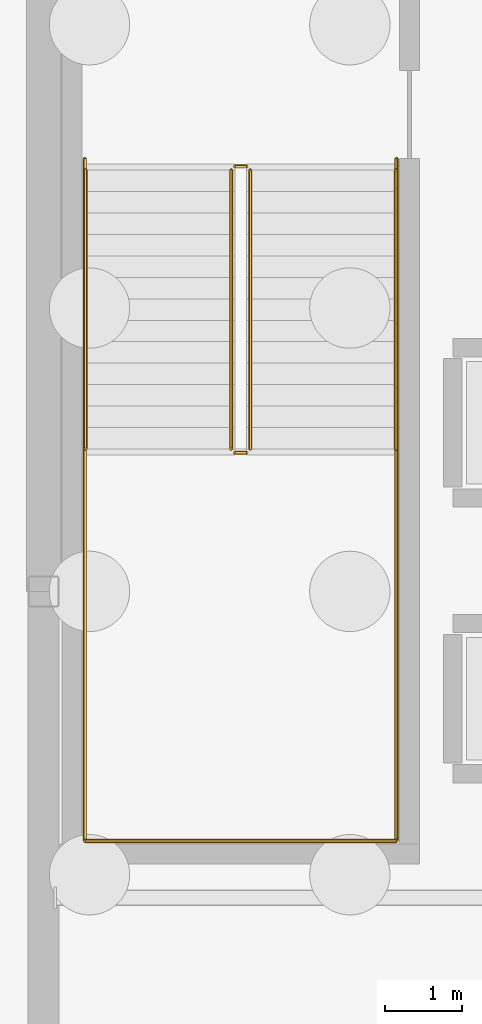
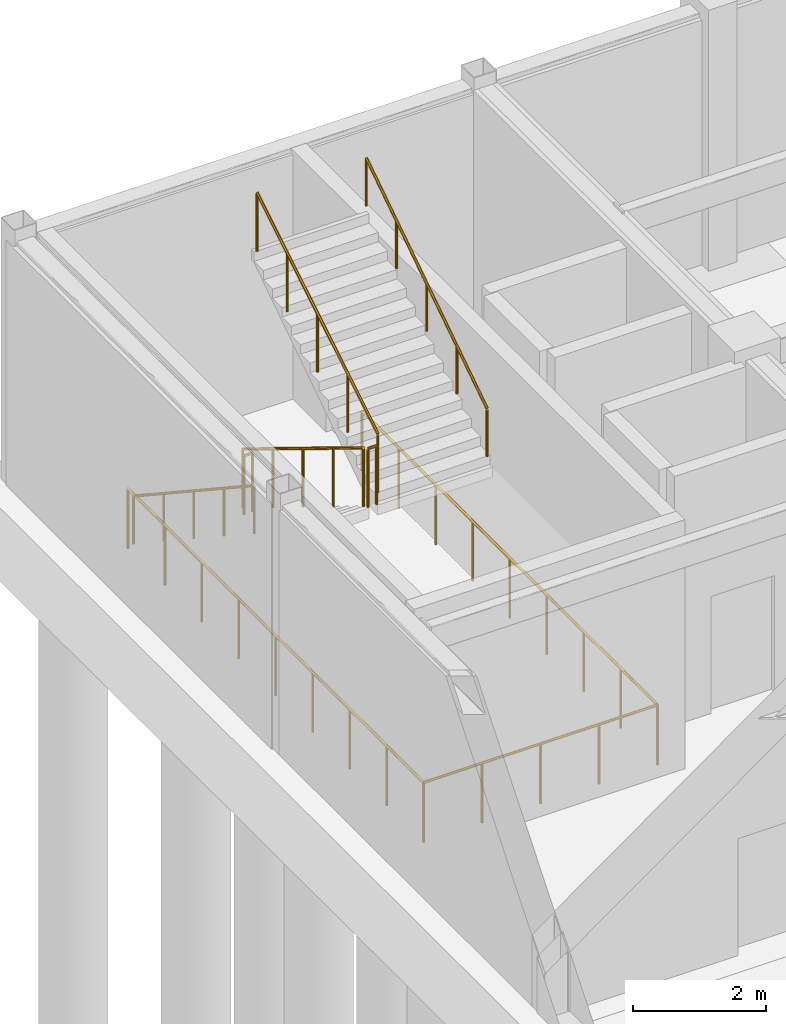
# One storey, part 100 of 105: 9 railings.
"""IFC4 building model written with IfcOpenShell, lengths in metres."""

from ifc_helpers import new_model, si_unit, direction, frame, origin, origin_2d, place, context, subcontext, project, spatial, circle, extrude, material, type_object, element, save


model = new_model("IFC4")

# Units and contexts
model_context = context("Model", 3, precision=1e-05, world=origin(), true_north=direction((0.0, 1.0)))
body_context = subcontext(model_context, "Body", "Model", "MODEL_VIEW")
ifc_project = project(units=[si_unit("LENGTHUNIT", "METRE"), si_unit("AREAUNIT", "SQUARE_METRE"), si_unit("VOLUMEUNIT", "CUBIC_METRE"), si_unit("PLANEANGLEUNIT", "RADIAN"), si_unit("MASSUNIT", "GRAM", prefix="KILO")], contexts=[model_context])

# Site, building, storey
site_placement = place(None, origin())
site = spatial("IfcSite", under=ifc_project, at=site_placement, CompositionType="ELEMENT")
building_placement = place(site_placement, origin())
building = spatial("IfcBuilding", under=site, at=building_placement, Name="Solmirada Galleria", CompositionType="ELEMENT")
storey_placement = place(building_placement, frame((0.0, 0.0, -4.800048828125)))
storey = spatial("IfcBuildingStorey", under=building, at=storey_placement, Name="B1", CompositionType="ELEMENT", Elevation=-4.800048828125)

# Railings
ifc_material = material(Name="Painted steel tubular railing", Category="steel")
railing_type_1 = type_object("IfcRailingType", Name="RAIL-STAIR-GUARD", PredefinedType="GUARDRAIL", material=ifc_material)
railing_1_placement = place(storey_placement, frame((42.449951171875, 117.5, 0.17138671875)))
element("IfcRailing", 1, at=railing_1_placement, inside=storey, type_object=railing_type_1, Name="B1 ST1 stair guard 1", PredefinedType="GUARDRAIL", context=body_context, shape_type="SweptSolid", body=[
    extrude(circle(Radius=0.02392578125, at=origin_2d()), frame((0.0, 0.0, 1.076171875), z_axis=(0.0, -0.852824790078, 0.522197163366), x_axis=(1.0, 0.0, 0.0)), (0.0, 0.0, 1.0), 4.26806640625),
    extrude(circle(Radius=0.02099609375, at=origin_2d()), origin(), (0.0, 0.0, 1.0), 1.048095703125),
    extrude(circle(Radius=0.02099609375, at=origin_2d()), frame((0.0, -0.909912109375, 0.55712890625)), (0.0, 0.0, 1.0), 1.048095703125),
    extrude(circle(Radius=0.02099609375, at=origin_2d()), frame((0.0, -1.81982421875, 1.1142578125)), (0.0, 0.0, 1.0), 1.048095703125),
    extrude(circle(Radius=0.02099609375, at=origin_2d()), frame((0.0, -2.72998046875, 1.671630859375)), (0.0, 0.0, 1.0), 1.048095703125),
    extrude(circle(Radius=0.02099609375, at=origin_2d()), frame((0.0, -3.639892578125, 2.228759765625)), (0.0, 0.0, 1.0), 1.048095703125),
])
railing_2_placement = place(storey_placement, frame((42.5, 113.81005859375, 2.400146484375)))
element("IfcRailing", 2, at=railing_2_placement, inside=storey, type_object=railing_type_1, Name="B1 ST1 stair guard 2", PredefinedType="GUARDRAIL", context=body_context, shape_type="SweptSolid", body=[
    extrude(circle(Radius=0.02392578125, at=origin_2d()), frame((0.0, 0.0, 1.076171875), z_axis=(1.0, 0.0, 0.0), x_axis=(0.0, 1.0, 0.0)), (0.0, 0.0, 1.0), 0.14990234375),
    extrude(circle(Radius=0.02099609375, at=origin_2d()), origin(), (0.0, 0.0, 1.0), 1.048095703125),
    extrude(circle(Radius=0.02099609375, at=origin_2d()), frame((0.14990234375, 0.0, 0.0)), (0.0, 0.0, 1.0), 1.048095703125),
])
railing_3_placement = place(storey_placement, frame((42.699951171875, 113.860107421875, 2.571533203125)))
element("IfcRailing", 3, at=railing_3_placement, inside=storey, type_object=railing_type_1, Name="B1 ST1 stair guard 3", PredefinedType="GUARDRAIL", context=body_context, shape_type="SweptSolid", body=[
    extrude(circle(Radius=0.02392578125, at=origin_2d()), frame((0.0, 0.0, 1.076171875), z_axis=(0.0, 0.852850264322, 0.5221555579), x_axis=(-1.0, 0.0, 0.0)), (0.0, 0.0, 1.0), 4.267822265625),
    extrude(circle(Radius=0.02099609375, at=origin_2d()), origin(), (0.0, 0.0, 1.0), 1.048095703125),
    extrude(circle(Radius=0.02099609375, at=origin_2d()), frame((0.0, 0.909912109375, 0.55712890625)), (0.0, 0.0, 1.0), 1.048095703125),
    extrude(circle(Radius=0.02099609375, at=origin_2d()), frame((0.0, 1.81982421875, 1.1142578125)), (0.0, 0.0, 1.0), 1.048095703125),
    extrude(circle(Radius=0.02099609375, at=origin_2d()), frame((0.0, 2.72998046875, 1.67138671875)), (0.0, 0.0, 1.0), 1.048095703125),
    extrude(circle(Radius=0.02099609375, at=origin_2d()), frame((0.0, 3.639892578125, 2.228515625)), (0.0, 0.0, 1.0), 1.048095703125),
])
railing_4_placement = place(storey_placement, frame((42.5, 117.550048828125, 0.0)))
element("IfcRailing", 4, at=railing_4_placement, inside=storey, type_object=railing_type_1, Name="B1 ST1 stair guard 4", PredefinedType="GUARDRAIL", context=body_context, shape_type="SweptSolid", body=[
    extrude(circle(Radius=0.02392578125, at=origin_2d()), frame((0.0, 0.0, 1.076171875), z_axis=(1.0, 0.0, 0.0), x_axis=(0.0, 1.0, 0.0)), (0.0, 0.0, 1.0), 0.14990234375),
    extrude(circle(Radius=0.02099609375, at=origin_2d()), origin(), (0.0, 0.0, 1.0), 1.048095703125),
    extrude(circle(Radius=0.02099609375, at=origin_2d()), frame((0.14990234375, 0.0, 0.0)), (0.0, 0.0, 1.0), 1.048095703125),
])
railing_5_placement = place(storey_placement, frame((44.610107421875, 117.64990234375, 0.0)))
element("IfcRailing", 5, at=railing_5_placement, inside=storey, type_object=railing_type_1, Name="Stair ST1 well edge guard B1-1", PredefinedType="GUARDRAIL", context=body_context, shape_type="SweptSolid", body=[
    extrude(circle(Radius=0.02392578125, at=origin_2d()), frame((0.0, 0.0, 1.09619140625), z_axis=(0.0, -1.0, 0.0), x_axis=(1.0, 0.0, 0.0)), (0.0, 0.0, 1.0), 8.909912109375),
    extrude(circle(Radius=0.02099609375, at=origin_2d()), origin(), (0.0, 0.0, 1.0), 1.068115234375),
    extrude(circle(Radius=0.02099609375, at=origin_2d()), frame((0.0, -1.11376953125, 0.0)), (0.0, 0.0, 1.0), 1.068115234375),
    extrude(circle(Radius=0.02099609375, at=origin_2d()), frame((0.0, -2.2275390625, 0.0)), (0.0, 0.0, 1.0), 1.068115234375),
    extrude(circle(Radius=0.02099609375, at=origin_2d()), frame((0.0, -3.34130859375, 0.0)), (0.0, 0.0, 1.0), 1.068115234375),
    extrude(circle(Radius=0.02099609375, at=origin_2d()), frame((0.0, -4.455078125, 0.0)), (0.0, 0.0, 1.0), 1.068115234375),
    extrude(circle(Radius=0.02099609375, at=origin_2d()), frame((0.0, -5.568603515625, 0.0)), (0.0, 0.0, 1.0), 1.068115234375),
    extrude(circle(Radius=0.02099609375, at=origin_2d()), frame((0.0, -6.682373046875, 0.0)), (0.0, 0.0, 1.0), 1.068115234375),
    extrude(circle(Radius=0.02099609375, at=origin_2d()), frame((0.0, -7.796142578125, 0.0)), (0.0, 0.0, 1.0), 1.068115234375),
    extrude(circle(Radius=0.02099609375, at=origin_2d()), frame((0.0, -8.909912109375, 0.0)), (0.0, 0.0, 1.0), 1.068115234375),
])
railing_6_placement = place(storey_placement, frame((44.610107421875, 108.739990234375, 0.0)))
element("IfcRailing", 6, at=railing_6_placement, inside=storey, type_object=railing_type_1, Name="Stair ST1 well edge guard B1-2", PredefinedType="GUARDRAIL", context=body_context, shape_type="SweptSolid", body=[
    extrude(circle(Radius=0.02392578125, at=origin_2d()), frame((0.0, 0.0, 1.09619140625), z_axis=(-1.0, 0.0, 0.0), x_axis=(0.0, -1.0, 0.0)), (0.0, 0.0, 1.0), 4.070068359375),
    extrude(circle(Radius=0.02099609375, at=origin_2d()), origin(), (0.0, 0.0, 1.0), 1.068115234375),
    extrude(circle(Radius=0.02099609375, at=origin_2d()), frame((-1.017578125, 0.0, 0.0)), (0.0, 0.0, 1.0), 1.068115234375),
    extrude(circle(Radius=0.02099609375, at=origin_2d()), frame((-2.03515625, 0.0, 0.0)), (0.0, 0.0, 1.0), 1.068115234375),
    extrude(circle(Radius=0.02099609375, at=origin_2d()), frame((-3.052490234375, 0.0, 0.0)), (0.0, 0.0, 1.0), 1.068115234375),
    extrude(circle(Radius=0.02099609375, at=origin_2d()), frame((-4.070068359375, 0.0, 0.0)), (0.0, 0.0, 1.0), 1.068115234375),
])
railing_7_placement = place(storey_placement, frame((40.5400390625, 108.739990234375, 0.0)))
element("IfcRailing", 7, at=railing_7_placement, inside=storey, type_object=railing_type_1, Name="Stair ST1 well edge guard B1-3", PredefinedType="GUARDRAIL", context=body_context, shape_type="SweptSolid", body=[
    extrude(circle(Radius=0.02392578125, at=origin_2d()), frame((0.0, 0.0, 1.09619140625), z_axis=(0.0, 1.0, 0.0), x_axis=(-1.0, 0.0, 0.0)), (0.0, 0.0, 1.0), 8.909912109375),
    extrude(circle(Radius=0.02099609375, at=origin_2d()), origin(), (0.0, 0.0, 1.0), 1.068115234375),
    extrude(circle(Radius=0.02099609375, at=origin_2d()), frame((0.0, 1.11376953125, 0.0)), (0.0, 0.0, 1.0), 1.068115234375),
    extrude(circle(Radius=0.02099609375, at=origin_2d()), frame((0.0, 2.2275390625, 0.0)), (0.0, 0.0, 1.0), 1.068115234375),
    extrude(circle(Radius=0.02099609375, at=origin_2d()), frame((0.0, 3.34130859375, 0.0)), (0.0, 0.0, 1.0), 1.068115234375),
    extrude(circle(Radius=0.02099609375, at=origin_2d()), frame((0.0, 4.455078125, 0.0)), (0.0, 0.0, 1.0), 1.068115234375),
    extrude(circle(Radius=0.02099609375, at=origin_2d()), frame((0.0, 5.568603515625, 0.0)), (0.0, 0.0, 1.0), 1.068115234375),
    extrude(circle(Radius=0.02099609375, at=origin_2d()), frame((0.0, 6.682373046875, 0.0)), (0.0, 0.0, 1.0), 1.068115234375),
    extrude(circle(Radius=0.02099609375, at=origin_2d()), frame((0.0, 7.796142578125, 0.0)), (0.0, 0.0, 1.0), 1.068115234375),
    extrude(circle(Radius=0.02099609375, at=origin_2d()), frame((0.0, 8.909912109375, 0.0)), (0.0, 0.0, 1.0), 1.068115234375),
])
railing_type_2 = type_object("IfcRailingType", Name="RAIL-STAIR-HAND", PredefinedType="HANDRAIL", material=ifc_material)
railing_8_placement = place(storey_placement, frame((40.550048828125, 117.5, 0.17138671875)))
element("IfcRailing", 8, at=railing_8_placement, inside=storey, type_object=railing_type_2, Name="B1 ST1 stair handrail 1", PredefinedType="HANDRAIL", context=body_context, shape_type="SweptSolid", body=[
    extrude(circle(Radius=0.02392578125, at=origin_2d()), frame((0.0, 0.0, 0.8759765625), z_axis=(0.0, -0.834839479206, 0.550493454965), x_axis=(1.0, 0.0, 0.0)), (0.0, 0.0, 1.0), 4.360107421875),
    extrude(circle(Radius=0.02099609375, at=origin_2d()), origin(), (0.0, 0.0, 1.0), 0.847900390625),
    extrude(circle(Radius=0.02099609375, at=origin_2d()), frame((0.0, -0.909912109375, 0.60009765625)), (0.0, 0.0, 1.0), 0.847900390625),
    extrude(circle(Radius=0.02099609375, at=origin_2d()), frame((0.0, -1.81982421875, 1.2001953125)), (0.0, 0.0, 1.0), 0.847900390625),
    extrude(circle(Radius=0.02099609375, at=origin_2d()), frame((0.0, -2.72998046875, 1.800048828125)), (0.0, 0.0, 1.0), 0.847900390625),
    extrude(circle(Radius=0.02099609375, at=origin_2d()), frame((0.0, -3.639892578125, 2.400146484375)), (0.0, 0.0, 1.0), 0.847900390625),
])
railing_9_placement = place(storey_placement, frame((44.60009765625, 113.860107421875, 2.571533203125)))
element("IfcRailing", 9, at=railing_9_placement, inside=storey, type_object=railing_type_2, Name="B1 ST1 stair handrail 2", PredefinedType="HANDRAIL", context=body_context, shape_type="SweptSolid", body=[
    extrude(circle(Radius=0.02392578125, at=origin_2d()), frame((0.0, 0.0, 0.8759765625), z_axis=(0.0, 0.834865213223, 0.550454426587), x_axis=(-1.0, 0.0, 0.0)), (0.0, 0.0, 1.0), 4.35986328125),
    extrude(circle(Radius=0.02099609375, at=origin_2d()), origin(), (0.0, 0.0, 1.0), 0.847900390625),
    extrude(circle(Radius=0.02099609375, at=origin_2d()), frame((0.0, 0.909912109375, 0.60009765625)), (0.0, 0.0, 1.0), 0.847900390625),
    extrude(circle(Radius=0.02099609375, at=origin_2d()), frame((0.0, 1.81982421875, 1.199951171875)), (0.0, 0.0, 1.0), 0.847900390625),
    extrude(circle(Radius=0.02099609375, at=origin_2d()), frame((0.0, 2.72998046875, 1.7998046875)), (0.0, 0.0, 1.0), 0.847900390625),
    extrude(circle(Radius=0.02099609375, at=origin_2d()), frame((0.0, 3.639892578125, 2.39990234375)), (0.0, 0.0, 1.0), 0.847900390625),
])

save(model, "model.ifc")
